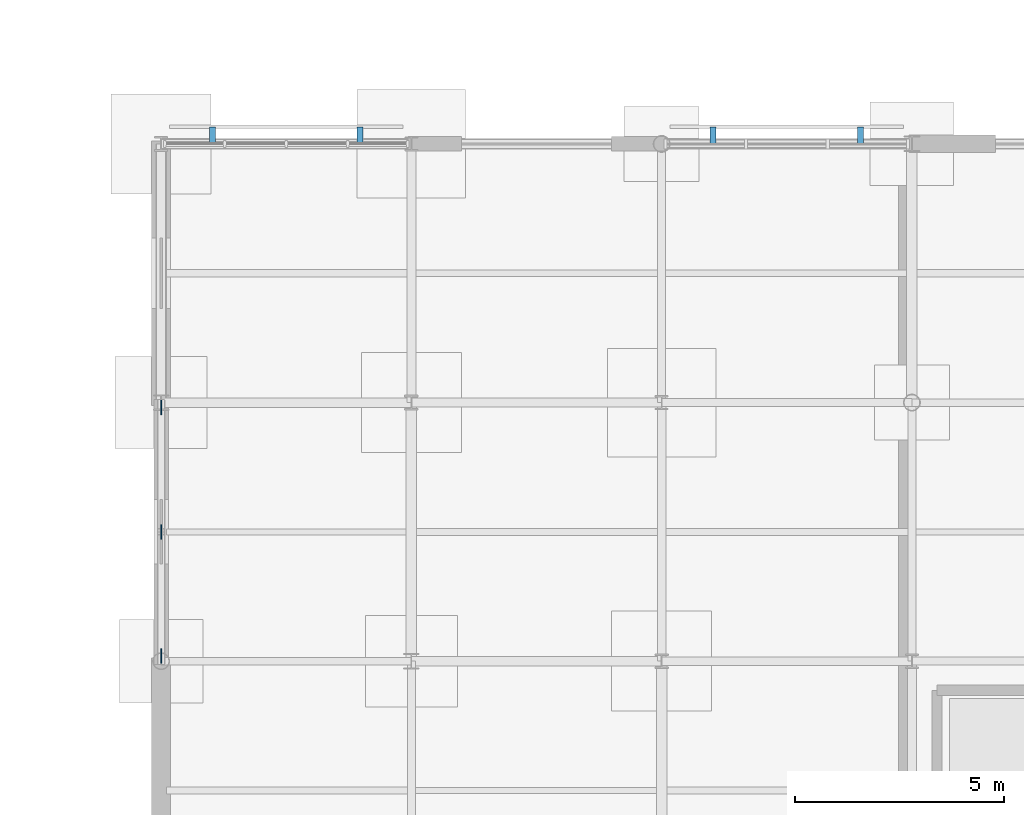
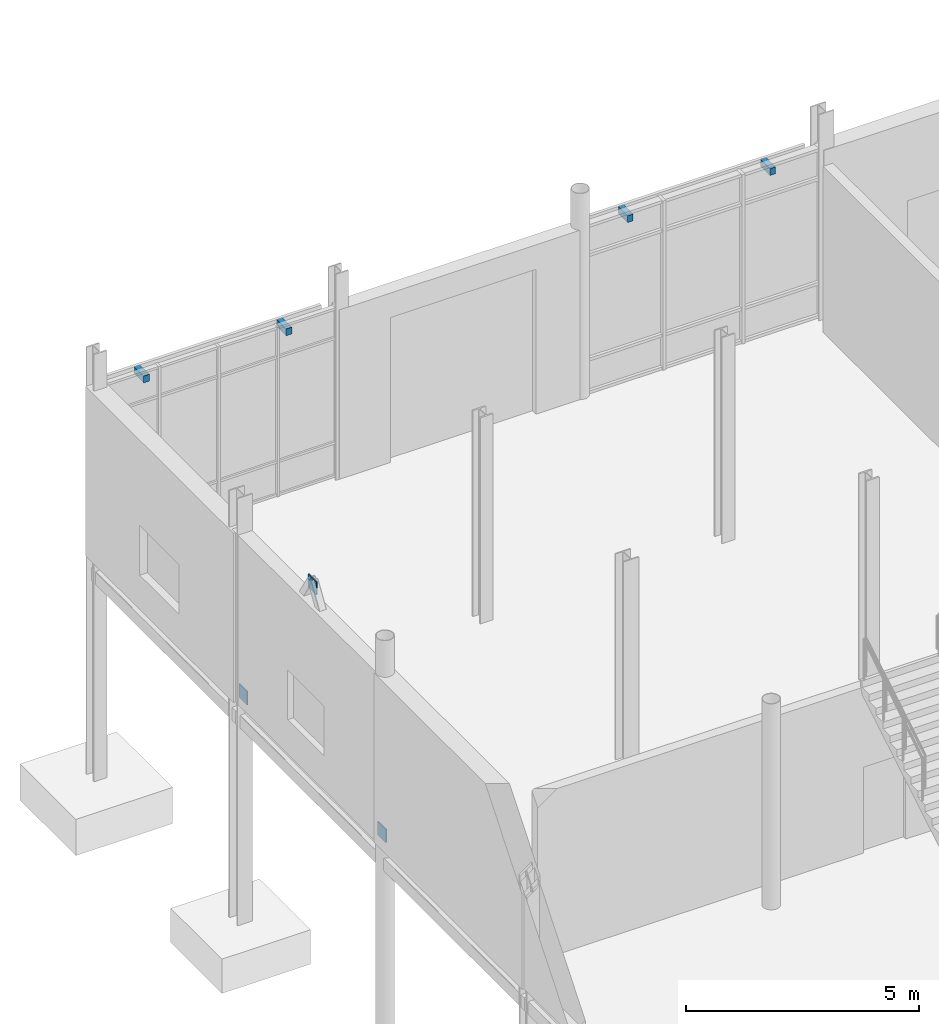
# One storey, part 79 of 98: 7 discrete accessories.
"""IFC4 building model written with IfcOpenShell, lengths in metres."""

import ifcopenshell
import ifcopenshell.guid

model = None  # the IFC model being written
_history = None  # IfcOwnerHistory: only IFC2X3 demands one
_inside = {}  # id of a spatial element -> (the spatial element, [elements in it])
_under = {}  # id of a project, library or spatial element -> (it, [spatial elements below it])
_declared = {}  # id of a project -> (the project, [libraries it declares])
_typed = {}  # id of a type object -> (the type object, [elements of that type])
_made_of = {}  # id of a material, layer set ... -> (it, [elements and type objects made of it])


def new_model(schema):
    """Start an empty IFC model of exactly this schema.

    Asked for "IFC4X3", IfcOpenShell would pick the latest addendum, in which some entities
    have other attributes; the version numbers below select the first issue.
    IFC2X3 requires an IfcOwnerHistory on every rooted entity: one is made here for all.
    """
    global model, _history
    if schema == "IFC4X3":
        model = ifcopenshell.file(schema_version=(4, 3, 0, 0))
    else:
        model = ifcopenshell.file(schema=schema)
    _inside.clear()
    _under.clear()
    _declared.clear()
    _typed.clear()
    _made_of.clear()
    _history = None
    if model.schema == "IFC2X3":
        org = make("IfcOrganization", Name="unknown")
        user = make(
            "IfcPersonAndOrganization",
            ThePerson=make("IfcPerson", FamilyName="unknown"),
            TheOrganization=org,
        )
        app = make(
            "IfcApplication",
            ApplicationDeveloper=org,
            Version="unknown",
            ApplicationFullName="unknown",
            ApplicationIdentifier="unknown",
        )
        _history = make(
            "IfcOwnerHistory",
            OwningUser=user,
            OwningApplication=app,
            ChangeAction="ADDED",
            CreationDate=0,
        )
    return model


def make(cls, **values):
    """One entity of the class cls with the attributes given. An attribute that is None is left unset."""
    return model.create_entity(
        cls, **{name: value for name, value in values.items() if value is not None}
    )


def rooted(cls, **values):
    """An entity with a GlobalId (a new one), such as an element, a storey or a relation."""
    return make(cls, GlobalId=ifcopenshell.guid.new(), OwnerHistory=_history, **values)


def si_unit(unit_type, name, prefix=None):
    """IfcSIUnit, for example si_unit("LENGTHUNIT", "METRE", prefix="MILLI")."""
    return make("IfcSIUnit", UnitType=unit_type, Prefix=prefix, Name=name)


def assignment(units):
    """IfcUnitAssignment: the units of a project."""
    return None if units is None else make("IfcUnitAssignment", Units=units)


def point(xyz):
    """IfcCartesianPoint."""
    return None if xyz is None else make("IfcCartesianPoint", Coordinates=xyz)


def direction(xyz):
    """IfcDirection."""
    return None if xyz is None else make("IfcDirection", DirectionRatios=xyz)


def frame(location, z_axis=None, x_axis=None):
    """IfcAxis2Placement3D, a coordinate frame: its origin and axes. An axis left out is left unset."""
    return make(
        "IfcAxis2Placement3D",
        Location=point(location),
        Axis=direction(z_axis),
        RefDirection=direction(x_axis),
    )


def frame_2d(location, x_axis=None):
    """IfcAxis2Placement2D, a coordinate frame in the plane: its origin and x axis."""
    return make(
        "IfcAxis2Placement2D", Location=point(location), RefDirection=direction(x_axis)
    )


def origin():
    """The frame at (0, 0, 0) with its axes left unset."""
    return frame((0.0, 0.0, 0.0))


def origin_2d():
    """The frame at (0, 0) in the plane with its x axis left unset."""
    return frame_2d((0.0, 0.0))


def place(relative_to, where):
    """IfcLocalPlacement: puts the frame where relative to a parent placement (None: the world)."""
    return make(
        "IfcLocalPlacement", PlacementRelTo=relative_to, RelativePlacement=where
    )


def context(
    kind, dimensions, precision=None, world=None, true_north=None, identifier=None
):
    """IfcGeometricRepresentationContext, for example the 3D "Model" context."""
    return make(
        "IfcGeometricRepresentationContext",
        ContextIdentifier=identifier,
        ContextType=kind,
        CoordinateSpaceDimension=dimensions,
        Precision=precision,
        WorldCoordinateSystem=world,
        TrueNorth=true_north,
    )


def subcontext(parent, identifier, kind, view, scale=None):
    """IfcGeometricRepresentationSubContext, for example "Body" below "Model"."""
    return make(
        "IfcGeometricRepresentationSubContext",
        ContextIdentifier=identifier,
        ContextType=kind,
        ParentContext=parent,
        TargetScale=scale,
        TargetView=view,
    )


def project(units=None, contexts=None):
    """IfcProject with its units and contexts."""
    return rooted(
        "IfcProject",
        Name="project",
        RepresentationContexts=contexts,
        UnitsInContext=assignment(units),
    )


def spatial(cls, under=None, at=None, **own):
    """A site, building, storey or space (cls), placed at a placement, below another one or the project."""
    s = rooted(cls, ObjectPlacement=at, **own)
    if under is not None:
        _under.setdefault(under.id(), (under, []))[1].append(s)
    return s


def profile(cls, at=None, kind="AREA", **sizes):
    """A parametric profile (cls). Its sizes go by their IFC names, for example OverallWidth=200.0."""
    return make(cls, ProfileType=kind, Position=at, **sizes)


def rectangle(**sizes):
    """IfcRectangleProfileDef."""
    return profile("IfcRectangleProfileDef", **sizes)


def extrude(swept, where, along, depth):
    """IfcExtrudedAreaSolid: the profile swept, set in the frame where, extruded along a direction by depth."""
    return make(
        "IfcExtrudedAreaSolid",
        SweptArea=swept,
        Position=where,
        ExtrudedDirection=direction(along),
        Depth=depth,
    )


def shape(context_of_items, identifier, shape_type, items):
    """IfcShapeRepresentation: the items that make up one representation, for example the "Body"."""
    return make(
        "IfcShapeRepresentation",
        ContextOfItems=context_of_items,
        RepresentationIdentifier=identifier,
        RepresentationType=shape_type,
        Items=items,
    )


def material(Name=None, Category=None):
    """IfcMaterial."""
    return make("IfcMaterial", Name=Name, Category=Category)


def made_of(thing, what):
    """Note that an element or type object is made of a material, layer set ...; save() writes the relation."""
    if what is not None:
        _made_of.setdefault(what.id(), (what, []))[1].append(thing)
    return thing


def type_object(cls, material=None, **own):
    """A type object (cls), such as IfcWallType, which elements share."""
    return made_of(rooted(cls, **own), material)


def element(
    cls,
    number,
    at=None,
    inside=None,
    cuts=None,
    type_object=None,
    material=None,
    context=None,
    identifier="Body",
    shape_type=None,
    held_by="IfcProductDefinitionShape",
    body=None,
    shapes=None,
    **own,
):
    """One element of the class cls, such as IfcWall. Its Tag is "e" and its number.

    at: its placement. inside: the storey or other place that contains it. cuts: it is an
    opening in that element (IfcRelVoidsElement). A single representation is given by context,
    identifier, shape_type and body (its items); several are given by shapes. held_by: the class
    of the entity that holds the representations. save() writes the other relations.
    """
    e = rooted(cls, Tag="e%d" % number, ObjectPlacement=at, **own)
    if body is not None:
        shapes = [shape(context, identifier, shape_type, body)]
    if shapes is not None:
        e.Representation = make(held_by, Representations=shapes)
    if inside is not None:
        _inside.setdefault(inside.id(), (inside, []))[1].append(e)
    if cuts is not None:
        rooted(
            "IfcRelVoidsElement", RelatingBuildingElement=cuts, RelatedOpeningElement=e
        )
    if type_object is not None:
        _typed.setdefault(type_object.id(), (type_object, []))[1].append(e)
    return made_of(e, material)


def aggregate(whole, parts):
    """IfcRelAggregates: a whole, such as a stair, and the parts it consists of."""
    return rooted("IfcRelAggregates", RelatingObject=whole, RelatedObjects=parts)


def save(model, path):
    """Write the relations noted so far, then the file.

    IfcRelAggregates (storeys below a building ...), IfcRelContainedInSpatialStructure (elements
    in a storey), IfcRelDefinesByType, IfcRelAssociatesMaterial and IfcRelDeclares: one each for
    every whole, place, type object, material and project.
    """
    for whole, parts in _under.values():
        aggregate(whole, parts)
    for where, things in _inside.values():
        rooted(
            "IfcRelContainedInSpatialStructure",
            RelatedElements=things,
            RelatingStructure=where,
        )
    for kind, things in _typed.values():
        rooted("IfcRelDefinesByType", RelatedObjects=things, RelatingType=kind)
    for what, things in _made_of.values():
        rooted("IfcRelAssociatesMaterial", RelatedObjects=things, RelatingMaterial=what)
    for by, libraries in _declared.values():
        rooted("IfcRelDeclares", RelatingContext=by, RelatedDefinitions=libraries)
    model.write(path)


model = new_model("IFC4")

# Units and contexts
model_context = context("Model", 3, precision=1e-05, world=origin(), true_north=direction((0.0, 1.0)))
body_context = subcontext(model_context, "Body", "Model", "MODEL_VIEW")
ifc_project = project(units=[si_unit("LENGTHUNIT", "METRE"), si_unit("AREAUNIT", "SQUARE_METRE"), si_unit("VOLUMEUNIT", "CUBIC_METRE"), si_unit("PLANEANGLEUNIT", "RADIAN"), si_unit("MASSUNIT", "GRAM", prefix="KILO")], contexts=[model_context])

# Site, building, storey
site_placement = place(None, origin())
site = spatial("IfcSite", under=ifc_project, at=site_placement, CompositionType="ELEMENT")
building_placement = place(site_placement, origin())
building = spatial("IfcBuilding", under=site, at=building_placement, Name="Mirzam Square Science Centre", CompositionType="ELEMENT")
storey_placement = place(building_placement, origin())
storey = spatial("IfcBuildingStorey", under=building, at=storey_placement, Name="L00", CompositionType="ELEMENT", Elevation=0.0)

# Discrete accessories
ifc_material = material(Name="Steel S355", Category="steel")
discrete_accessory_type_1 = type_object("IfcDiscreteAccessoryType", Name="BK-BRACE-GUSSET", PredefinedType="BRACKET", material=ifc_material)
for number, where, z_axis, x_axis, name in (
    (1, (0.0, 68.320068359375, -0.005126953125), (0.0, 0.0, 1.0), (0.0, 1.0, 0.0), "L00 brace gusset plate 2A"),
    (2, (0.0, 74.280029296875, -0.005126953125), (0.0, 0.0, 1.0), (0.0, 1.0, 0.0), "L00 brace gusset plate 2B"),
    (3, (0.0, 71.300048828125, 4.679931640625), (0.0, 0.0, 1.0), (0.0, 1.0, 0.0), "L00 brace apex gusset plate 2"),
):
    element("IfcDiscreteAccessory", number, at=place(storey_placement, frame(where, z_axis=z_axis, x_axis=x_axis)), inside=storey, type_object=discrete_accessory_type_1, Name=name, PredefinedType="BRACKET", context=body_context, shape_type="SweptSolid", body=[
        extrude(rectangle(XDim=0.35009765625, YDim=0.02490234375, at=origin_2d()), origin(), (0.0, 0.0, 1.0), 0.35009765625),
    ])
discrete_accessory_type_2 = type_object("IfcDiscreteAccessoryType", Name="BRK-BRISE-STEEL", PredefinedType="BRACKET", material=ifc_material)
for number, where, z_axis, x_axis, name in (
    (4, (4.76708984375, 80.7900390625, 4.10009765625), (0.0, 0.0, 1.0), (-1.0, 0.0, 0.0), "L00 brise-soleil support bracket 1"),
    (5, (1.23291015625, 80.7900390625, 4.10009765625), (0.0, 0.0, 1.0), (-1.0, 0.0, 0.0), "L00 brise-soleil support bracket 1"),
    (6, (16.76708984375, 80.7900390625, 4.10009765625), (0.0, 0.0, 1.0), (-1.0, 0.0, 0.0), "L00 brise-soleil support bracket 2"),
    (7, (13.23291015625, 80.7900390625, 4.10009765625), (0.0, 0.0, 1.0), (-1.0, 0.0, 0.0), "L00 brise-soleil support bracket 2"),
):
    element("IfcDiscreteAccessory", number, at=place(storey_placement, frame(where, z_axis=z_axis, x_axis=x_axis)), inside=storey, type_object=discrete_accessory_type_2, Name=name, PredefinedType="BRACKET", context=body_context, shape_type="SweptSolid", body=[
        extrude(rectangle(XDim=0.139892578125, YDim=0.419921875, at=origin_2d()), origin(), (0.0, 0.0, 1.0), 0.179931640625),
    ])

save(model, "model.ifc")
